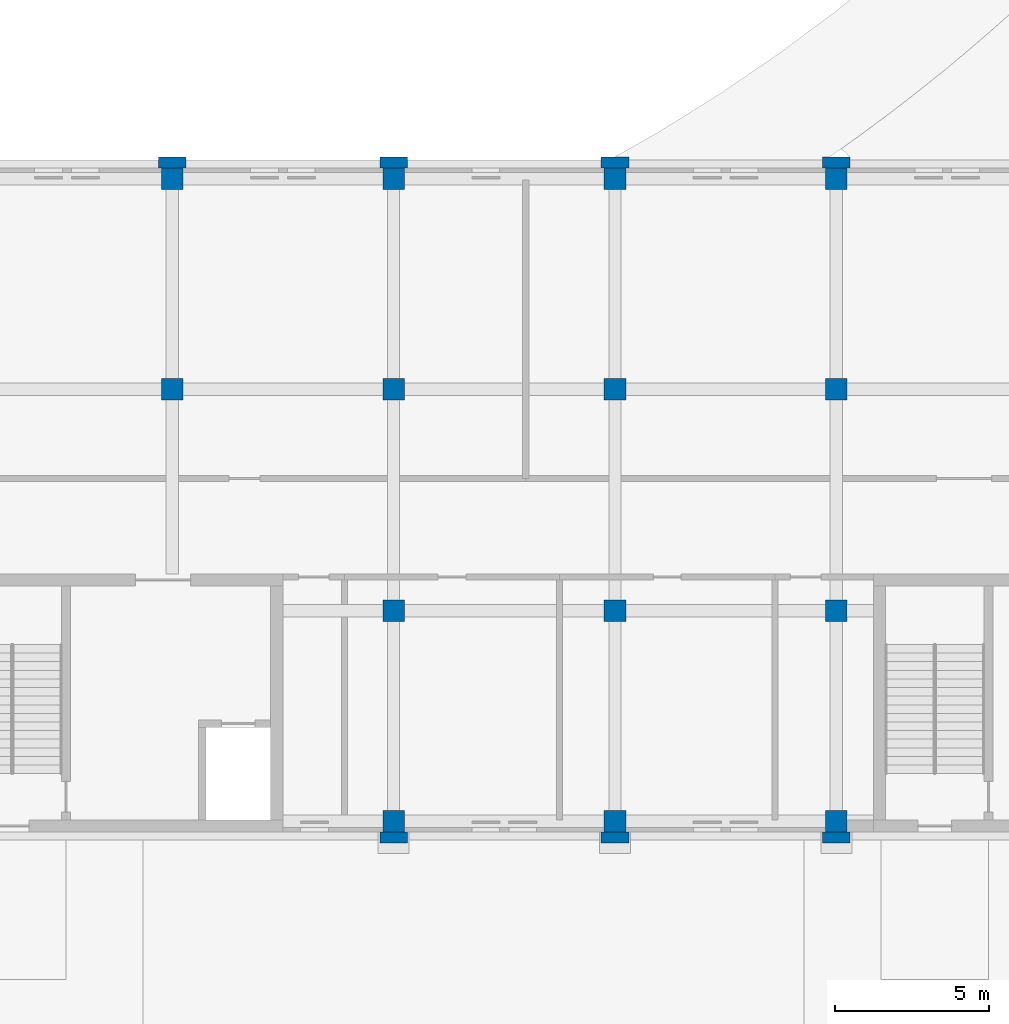
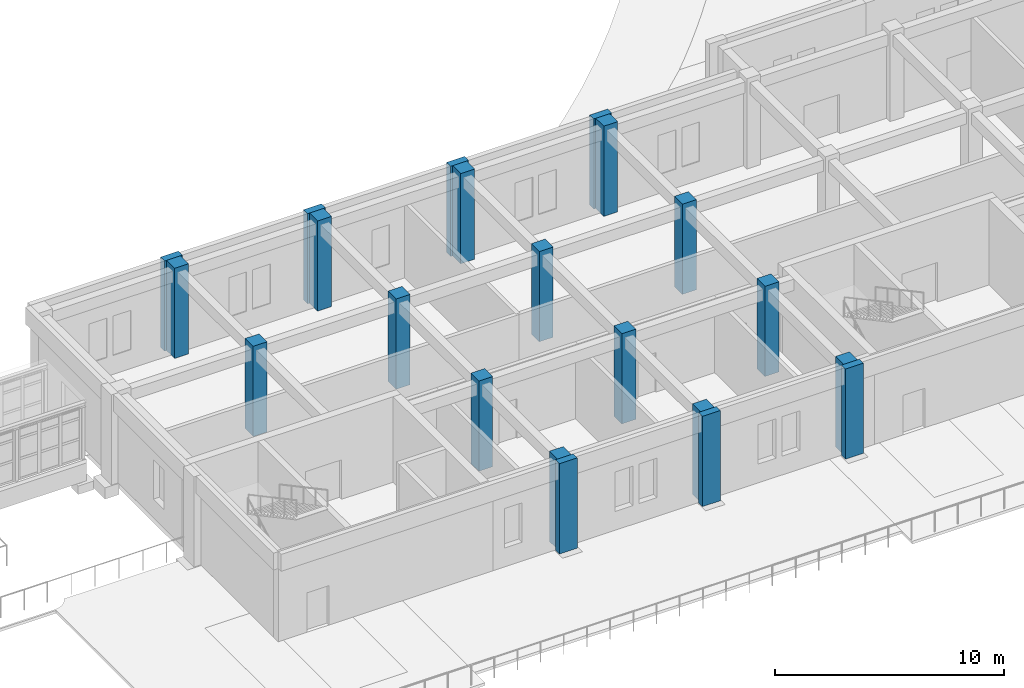
# One storey, part 23 of 131: 21 columns.
"""IFC4 building model written with IfcOpenShell, lengths in metres."""

from ifc_helpers import new_model, si_unit, direction, frame, origin, origin_2d, place, context, subcontext, project, spatial, rectangle, extrude, material, material_profile, profile_set, type_object, element, save


model = new_model("IFC4")

# Units and contexts
model_context = context("Model", 3, precision=1e-05, world=origin(), true_north=direction((0.0, 1.0)))
body_context = subcontext(model_context, "Body", "Model", "MODEL_VIEW")
ifc_project = project(units=[si_unit("LENGTHUNIT", "METRE"), si_unit("AREAUNIT", "SQUARE_METRE"), si_unit("VOLUMEUNIT", "CUBIC_METRE"), si_unit("PLANEANGLEUNIT", "RADIAN"), si_unit("MASSUNIT", "GRAM", prefix="KILO")], contexts=[model_context])

# Site, building, storey
site_placement = place(None, origin())
site = spatial("IfcSite", under=ifc_project, at=site_placement, CompositionType="ELEMENT")
building_placement = place(site_placement, origin())
building = spatial("IfcBuilding", under=site, at=building_placement, Name="Alderwick Market Hall", CompositionType="ELEMENT")
storey_placement = place(building_placement, frame((0.0, 0.0, 4.800048828125)))
storey = spatial("IfcBuildingStorey", under=building, at=storey_placement, Name="L00", CompositionType="ELEMENT", Elevation=4.800048828125)

# Columns
ifc_material = material(Name="Concrete 5000 psi (f'c 35 MPa)", Category="concrete")
ifc_material_profile_1 = material_profile(ifc_material, rectangle(XDim=0.699951171875, YDim=0.699951171875, at=origin_2d()), Name="RC 700x700")
ifc_profile_set_1 = profile_set([ifc_material_profile_1], Name="Concrete 5000 psi (f'c 35 MPa)")
column_type_1 = type_object("IfcColumnType", Name="C Column RC 700x700", PredefinedType="COLUMN", material=ifc_profile_set_1)
for number, where, z_axis, x_axis, name in (
    (1, (165.60009765625, 28.449951171875, 0.0), (0.0, 0.0, 1.0), (1.0, 0.0, 0.0), "C.col.L00.02"),
    (2, (172.800048828125, 28.449951171875, 0.0), (0.0, 0.0, 1.0), (1.0, 0.0, 0.0), "C.col.L00.03"),
    (3, (180.0, 28.449951171875, 0.0), (0.0, 0.0, 1.0), (1.0, 0.0, 0.0), "C.col.L00.04"),
    (4, (187.199951171875, 28.449951171875, 0.0), (0.0, 0.0, 1.0), (1.0, 0.0, 0.0), "C.col.L00.05"),
    (5, (165.60009765625, 21.60009765625, 0.0), (0.0, 0.0, 1.0), (1.0, 0.0, 0.0), "C.col.L00.13"),
    (6, (172.800048828125, 21.60009765625, 0.0), (0.0, 0.0, 1.0), (1.0, 0.0, 0.0), "C.col.L00.14"),
    (7, (180.0, 21.60009765625, 0.0), (0.0, 0.0, 1.0), (1.0, 0.0, 0.0), "C.col.L00.15"),
    (8, (187.199951171875, 21.60009765625, 0.0), (0.0, 0.0, 1.0), (1.0, 0.0, 0.0), "C.col.L00.16"),
    (9, (172.800048828125, 14.39990234375, 0.0), (0.0, 0.0, 1.0), (1.0, 0.0, 0.0), "C.col.L00.23"),
    (10, (180.0, 14.39990234375, 0.0), (0.0, 0.0, 1.0), (1.0, 0.0, 0.0), "C.col.L00.24"),
    (11, (187.199951171875, 14.39990234375, 0.0), (0.0, 0.0, 1.0), (1.0, 0.0, 0.0), "C.col.L00.25"),
    (12, (172.800048828125, 7.550048828125, 0.0), (0.0, 0.0, 1.0), (1.0, 0.0, 0.0), "C.col.L00.29"),
    (13, (180.0, 7.550048828125, 0.0), (0.0, 0.0, 1.0), (1.0, 0.0, 0.0), "C.col.L00.30"),
    (14, (187.199951171875, 7.550048828125, 0.0), (0.0, 0.0, 1.0), (1.0, 0.0, 0.0), "C.col.L00.31"),
):
    element("IfcColumn", number, at=place(storey_placement, frame(where, z_axis=z_axis, x_axis=x_axis)), inside=storey, type_object=column_type_1, Name=name, PredefinedType="COLUMN", context=body_context, shape_type="SweptSolid", body=[
        extrude(rectangle(XDim=0.699951171875, YDim=0.699951171875, at=origin_2d()), origin(), (0.0, 0.0, 1.0), 4.800048828125),
    ])
ifc_material_profile_2 = material_profile(ifc_material, rectangle(XDim=0.89990234375, YDim=0.35009765625, at=origin_2d()), Name="PC 900x350")
ifc_profile_set_2 = profile_set([ifc_material_profile_2], Name="Concrete 5000 psi (f'c 35 MPa)")
column_type_2 = type_object("IfcColumnType", Name="C Pilaster Precast Concrete 900x350", PredefinedType="PILASTER", material=ifc_profile_set_2)
for number, where, z_axis, x_axis, name in (
    (15, (165.60009765625, 28.97509765625, 0.0), (0.0, 0.0, 1.0), (1.0, 0.0, 0.0), "C.pilaster.L00.002"),
    (16, (172.800048828125, 28.97509765625, 0.0), (0.0, 0.0, 1.0), (1.0, 0.0, 0.0), "C.pilaster.L00.006"),
    (17, (180.0, 28.97509765625, 0.0), (0.0, 0.0, 1.0), (1.0, 0.0, 0.0), "C.pilaster.L00.010"),
    (18, (187.199951171875, 28.97509765625, 0.0), (0.0, 0.0, 1.0), (1.0, 0.0, 0.0), "C.pilaster.L00.014"),
    (19, (172.800048828125, 7.02490234375, 0.0), (0.0, 0.0, 1.0), (1.0, 0.0, 0.0), "C.pilaster.L00.017"),
    (20, (180.0, 7.02490234375, 0.0), (0.0, 0.0, 1.0), (1.0, 0.0, 0.0), "C.pilaster.L00.020"),
    (21, (187.199951171875, 7.02490234375, 0.0), (0.0, 0.0, 1.0), (1.0, 0.0, 0.0), "C.pilaster.L00.023"),
):
    element("IfcColumn", number, at=place(storey_placement, frame(where, z_axis=z_axis, x_axis=x_axis)), inside=storey, type_object=column_type_2, Name=name, PredefinedType="PILASTER", context=body_context, shape_type="SweptSolid", body=[
        extrude(rectangle(XDim=0.89990234375, YDim=0.35009765625, at=origin_2d()), origin(), (0.0, 0.0, 1.0), 4.800048828125),
    ])

save(model, "model.ifc")
